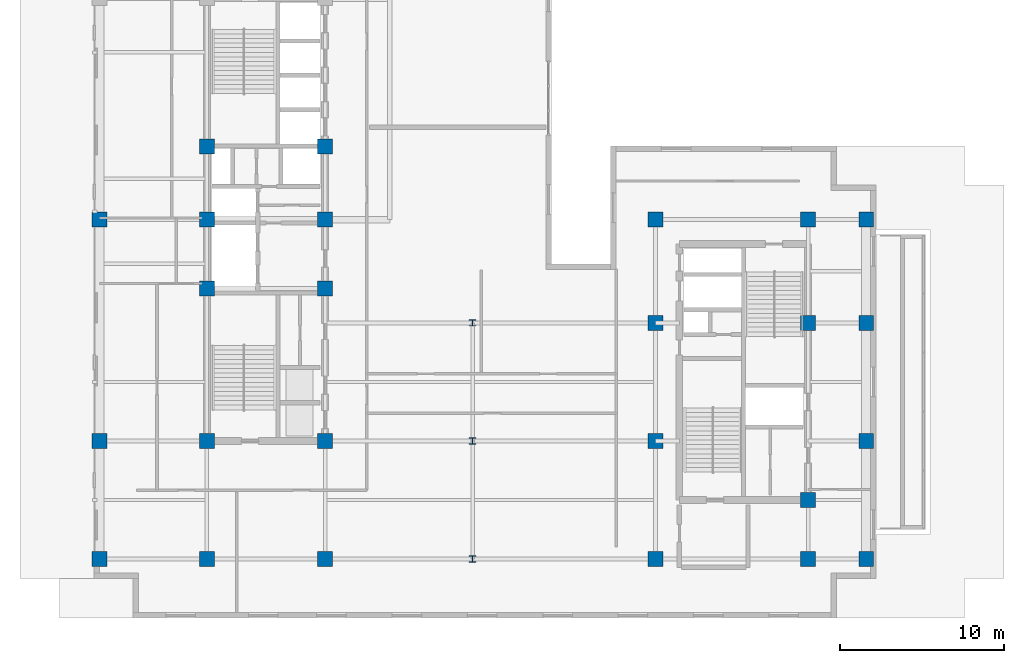
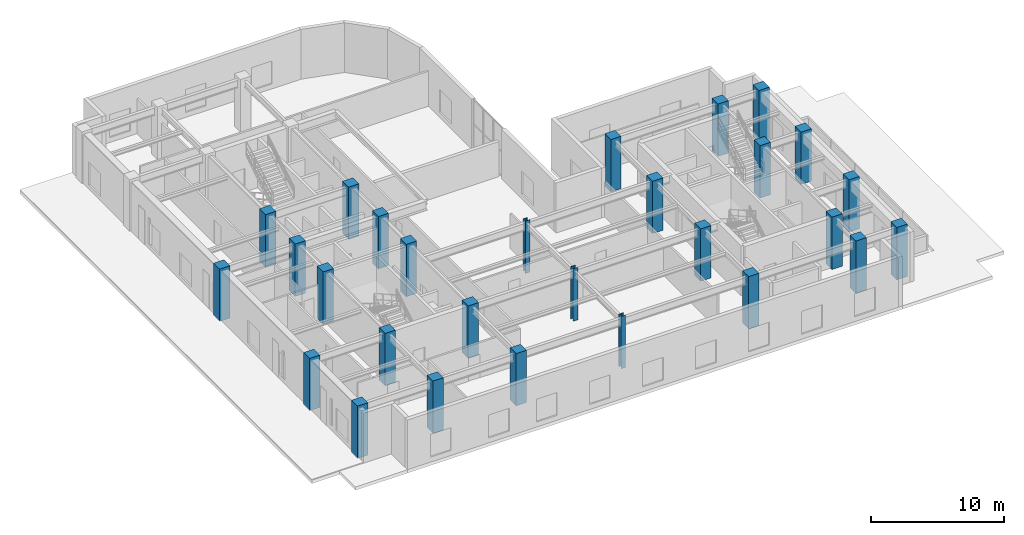
# One storey, part 1 of 16: 28 columns.
"""IFC4 building model written with IfcOpenShell, lengths in metres."""

from ifc_helpers import new_model, entity, si_unit, converted_unit, direction, frame, origin_with_axes, origin_2d_with_axis, place, context, subcontext, project, spatial, rectangle, i_section, extrude, material, material_profile, profile_set, type_object, element, save


model = new_model("IFC4")

# Units and contexts
model_context = context("Model", 3, precision=1e-05, world=origin_with_axes(), true_north=direction((0.0, 1.0)))
body_context = subcontext(model_context, "Body", "Model", "MODEL_VIEW")
ifc_project = project(units=[si_unit("LENGTHUNIT", "METRE"), si_unit("AREAUNIT", "SQUARE_METRE"), si_unit("VOLUMEUNIT", "CUBIC_METRE"), converted_unit("PLANEANGLEUNIT", "DEGREE", entity("IfcPlaneAngleMeasure", 0.017453292519943295), si_unit("PLANEANGLEUNIT", "RADIAN"), dimensions=[0, 0, 0, 0, 0, 0, 0]), si_unit("MASSUNIT", "GRAM", prefix="KILO"), si_unit("THERMODYNAMICTEMPERATUREUNIT", "KELVIN")], contexts=[model_context])

# Site, building, storey
site_placement = place(None, origin_with_axes())
site = spatial("IfcSite", under=ifc_project, at=site_placement, CompositionType="ELEMENT")
building_placement = place(site_placement, origin_with_axes())
building = spatial("IfcBuilding", under=site, at=building_placement, Name="Varnlund Millrace Tower", CompositionType="ELEMENT")
storey_placement = place(building_placement, frame((0.0, 0.0, 219.9), z_axis=(0.0, 0.0, 1.0), x_axis=(1.0, 0.0, 0.0)))
storey = spatial("IfcBuildingStorey", under=building, at=storey_placement, Name="L54", CompositionType="ELEMENT", Elevation=219.9)

# Columns
ifc_material_1 = material(Name="Steel ASTM A992 Grade 50", Category="steel")
ifc_material_profile_1 = material_profile(ifc_material_1, i_section(OverallWidth=0.394, OverallDepth=0.375, WebThickness=0.0173, FlangeThickness=0.0277, FilletRadius=0.02, at=origin_2d_with_axis()), Name="Steel ASTM A992 Grade 50")
ifc_profile_set_1 = profile_set([ifc_material_profile_1], Name="Steel ASTM A992 Grade 50")
column_type_1 = type_object("IfcColumnType", Name="Type-Col-Int-W14X145", PredefinedType="COLUMN", material=ifc_profile_set_1)
for number, where, z_axis, x_axis, name in (
    (1, (27.6, 3.6, 0.0), (0.0, 0.0, 1.0), (1.0, 0.0, 0.0), "Type-Col-Int-W14X145"),
    (2, (27.6, 10.8, 0.0), (0.0, 0.0, 1.0), (1.0, 0.0, 0.0), "Type-Col-Int-W14X145"),
    (3, (27.6, 18.0, 0.0), (0.0, 0.0, 1.0), (1.0, 0.0, 0.0), "Type-Col-Int-W14X145"),
):
    element("IfcColumn", number, at=place(storey_placement, frame(where, z_axis=z_axis, x_axis=x_axis)), inside=storey, type_object=column_type_1, Name=name, PredefinedType="COLUMN", context=body_context, shape_type="SweptSolid", body=[
        extrude(i_section(OverallWidth=0.394, OverallDepth=0.375, WebThickness=0.0173, FlangeThickness=0.0277, FilletRadius=0.02, at=origin_2d_with_axis()), origin_with_axes(), (0.0, 0.0, 1.0), 4.8),
    ])
ifc_material_2 = material(Name="Concrete C70/85", Category="concrete")
ifc_material_profile_2 = material_profile(ifc_material_2, rectangle(XDim=0.9, YDim=0.9, at=origin_2d_with_axis()), Name="Concrete C70/85")
ifc_profile_set_2 = profile_set([ifc_material_profile_2], Name="Concrete C70/85")
column_type_2 = type_object("IfcColumnType", Name="Type-Col-RC900-C70", PredefinedType="COLUMN", material=ifc_profile_set_2)
for number, where, z_axis, x_axis, name in (
    (4, (11.4, 3.6, 0.0), (0.0, 0.0, 1.0), (1.0, 0.0, 0.0), "Type-Col-RC900-C70"),
    (5, (11.4, 10.8, 0.0), (0.0, 0.0, 1.0), (1.0, 0.0, 0.0), "Type-Col-RC900-C70"),
    (6, (11.4, 20.1, 0.0), (0.0, 0.0, 1.0), (1.0, 0.0, 0.0), "Type-Col-RC900-C70"),
    (7, (11.4, 24.3, 0.0), (0.0, 0.0, 1.0), (1.0, 0.0, 0.0), "Type-Col-RC900-C70"),
    (8, (11.4, 28.75, 0.0), (0.0, 0.0, 1.0), (1.0, 0.0, 0.0), "Type-Col-RC900-C70"),
    (9, (18.6, 3.6, 0.0), (0.0, 0.0, 1.0), (1.0, 0.0, 0.0), "Type-Col-RC900-C70"),
    (10, (18.6, 10.8, 0.0), (0.0, 0.0, 1.0), (1.0, 0.0, 0.0), "Type-Col-RC900-C70"),
    (11, (18.6, 20.1, 0.0), (0.0, 0.0, 1.0), (1.0, 0.0, 0.0), "Type-Col-RC900-C70"),
    (12, (18.6, 24.3, 0.0), (0.0, 0.0, 1.0), (1.0, 0.0, 0.0), "Type-Col-RC900-C70"),
    (13, (18.6, 28.75, 0.0), (0.0, 0.0, 1.0), (1.0, 0.0, 0.0), "Type-Col-RC900-C70"),
    (14, (4.85, 3.6, 0.0), (0.0, 0.0, 1.0), (1.0, 0.0, 0.0), "Type-Col-RC900-C70"),
    (15, (4.85, 10.8, 0.0), (0.0, 0.0, 1.0), (1.0, 0.0, 0.0), "Type-Col-RC900-C70"),
    (16, (4.85, 24.3, 0.0), (0.0, 0.0, 1.0), (1.0, 0.0, 0.0), "Type-Col-RC900-C70"),
    (17, (38.75, 3.6, 0.0), (0.0, 0.0, 1.0), (1.0, 0.0, 0.0), "Type-Col-RC900-C70"),
    (18, (38.75, 10.8, 0.0), (0.0, 0.0, 1.0), (1.0, 0.0, 0.0), "Type-Col-RC900-C70"),
    (19, (38.75, 18.0, 0.0), (0.0, 0.0, 1.0), (1.0, 0.0, 0.0), "Type-Col-RC900-C70"),
    (20, (38.75, 24.3, 0.0), (0.0, 0.0, 1.0), (1.0, 0.0, 0.0), "Type-Col-RC900-C70"),
    (21, (48.05, 3.6, 0.0), (0.0, 0.0, 1.0), (1.0, 0.0, 0.0), "Type-Col-RC900-C70"),
    (22, (48.05, 7.2, 0.0), (0.0, 0.0, 1.0), (1.0, 0.0, 0.0), "Type-Col-RC900-C70"),
    (23, (48.05, 18.0, 0.0), (0.0, 0.0, 1.0), (1.0, 0.0, 0.0), "Type-Col-RC900-C70"),
    (24, (48.05, 24.3, 0.0), (0.0, 0.0, 1.0), (1.0, 0.0, 0.0), "Type-Col-RC900-C70"),
    (25, (51.6, 3.6, 0.0), (0.0, 0.0, 1.0), (1.0, 0.0, 0.0), "Type-Col-RC900-C70"),
    (26, (51.6, 10.8, 0.0), (0.0, 0.0, 1.0), (1.0, 0.0, 0.0), "Type-Col-RC900-C70"),
    (27, (51.6, 18.0, 0.0), (0.0, 0.0, 1.0), (1.0, 0.0, 0.0), "Type-Col-RC900-C70"),
    (28, (51.6, 24.3, 0.0), (0.0, 0.0, 1.0), (1.0, 0.0, 0.0), "Type-Col-RC900-C70"),
):
    element("IfcColumn", number, at=place(storey_placement, frame(where, z_axis=z_axis, x_axis=x_axis)), inside=storey, type_object=column_type_2, Name=name, PredefinedType="COLUMN", context=body_context, shape_type="SweptSolid", body=[
        extrude(rectangle(XDim=0.9, YDim=0.9, at=origin_2d_with_axis()), origin_with_axes(), (0.0, 0.0, 1.0), 4.8),
    ])

save(model, "model.ifc")
